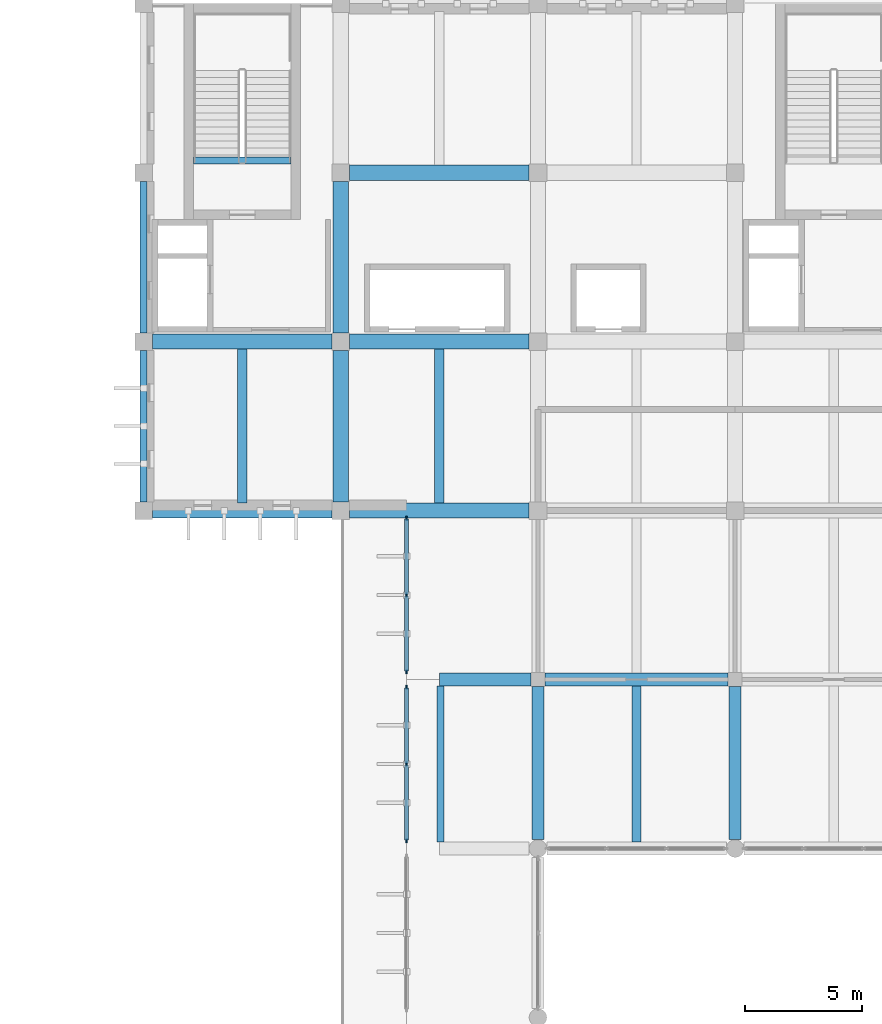
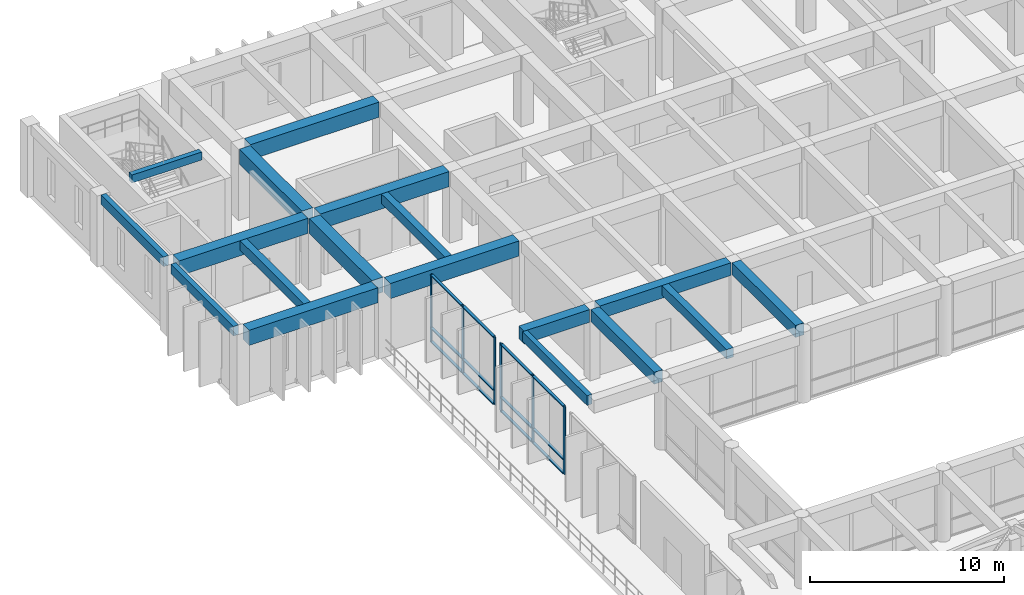
# One storey, part 10 of 23: 18 beams, 18 members, 2 elements without a shape of their own.
"""IFC4 building model written with IfcOpenShell, lengths in metres."""

from ifc_helpers import new_model, si_unit, direction, frame, origin, origin_2d, place, context, subcontext, project, spatial, rectangle, extrude, material, material_profile, profile_set, type_object, element, aggregate, save


model = new_model("IFC4")

# Units and contexts
model_context = context("Model", 3, precision=1e-05, world=origin(), true_north=direction((0.0, 1.0)))
body_context = subcontext(model_context, "Body", "Model", "MODEL_VIEW")
ifc_project = project(units=[si_unit("LENGTHUNIT", "METRE"), si_unit("AREAUNIT", "SQUARE_METRE"), si_unit("VOLUMEUNIT", "CUBIC_METRE"), si_unit("PLANEANGLEUNIT", "RADIAN"), si_unit("MASSUNIT", "GRAM", prefix="KILO")], contexts=[model_context])

# Site, building, storey
site_placement = place(None, origin())
site = spatial("IfcSite", under=ifc_project, at=site_placement, CompositionType="ELEMENT")
building_placement = place(site_placement, origin())
building = spatial("IfcBuilding", under=site, at=building_placement, Name="Kenerak Square Central Library", CompositionType="ELEMENT")
storey_placement = place(building_placement, frame((0.0, 0.0, 18.8798828125)))
storey = spatial("IfcBuildingStorey", under=building, at=storey_placement, Name="L04", CompositionType="ELEMENT", Elevation=18.8798828125)

# Beams
ifc_material_1 = material(Name="Concrete C45/55", Category="concrete")
ifc_material_profile_1 = material_profile(ifc_material_1, rectangle(XDim=0.64990234375, YDim=0.949951171875, at=origin_2d()), Name="RC 650x950")
ifc_profile_set_1 = profile_set([ifc_material_profile_1], Name="Concrete C45/55")
beam_type_1 = type_object("IfcBeamType", Name="Book Stack Girder B-02 RC 650x950 C45/55", PredefinedType="BEAM", material=ifc_profile_set_1)
beam_1_placement = place(storey_placement, frame((58.77490234375, 88.800048828125, 4.005126953125), z_axis=(1.0, 0.0, 0.0), x_axis=(0.0, 1.0, 0.0)))
element("IfcBeam", 1, at=beam_1_placement, inside=storey, type_object=beam_type_1, Name="Beam B-02 L04 1552", PredefinedType="BEAM", context=body_context, shape_type="SweptSolid", body=[
    extrude(rectangle(XDim=0.64990234375, YDim=0.949951171875, at=origin_2d()), origin(), (0.0, 0.0, 1.0), 7.650146484375),
])
beam_2_placement = place(storey_placement, frame((67.175048828125, 88.800048828125, 4.005126953125), z_axis=(1.0, 0.0, 0.0), x_axis=(0.0, 1.0, 0.0)))
element("IfcBeam", 2, at=beam_2_placement, inside=storey, type_object=beam_type_1, Name="Beam B-02 L04 1553", PredefinedType="BEAM", context=body_context, shape_type="SweptSolid", body=[
    extrude(rectangle(XDim=0.64990234375, YDim=0.949951171875, at=origin_2d()), origin(), (0.0, 0.0, 1.0), 7.64990234375),
])
beam_3_placement = place(storey_placement, frame((58.77490234375, 96.0, 4.005126953125), z_axis=(1.0, 0.0, 0.0), x_axis=(0.0, 1.0, 0.0)))
element("IfcBeam", 3, at=beam_3_placement, inside=storey, type_object=beam_type_1, Name="Beam B-02 L04 1559", PredefinedType="BEAM", context=body_context, shape_type="SweptSolid", body=[
    extrude(rectangle(XDim=0.64990234375, YDim=0.949951171875, at=origin_2d()), origin(), (0.0, 0.0, 1.0), 7.650146484375),
])
for number, where, z_axis, x_axis, name in (
    (4, (67.175048828125, 96.0, 4.005126953125), (1.0, 0.0, 0.0), (0.0, 1.0, 0.0), "Beam B-02 L04 1560"),
    (5, (67.175048828125, 103.199951171875, 4.005126953125), (1.0, 0.0, 0.0), (0.0, 1.0, 0.0), "Beam B-02 L04 1566"),
):
    element("IfcBeam", number, at=place(storey_placement, frame(where, z_axis=z_axis, x_axis=x_axis)), inside=storey, type_object=beam_type_1, Name=name, PredefinedType="BEAM", context=body_context, shape_type="SweptSolid", body=[
        extrude(rectangle(XDim=0.64990234375, YDim=0.949951171875, at=origin_2d()), origin(), (0.0, 0.0, 1.0), 7.64990234375),
    ])
for number, where, z_axis, x_axis, name in (
    (6, (66.800048828125, 89.175048828125, 4.005126953125), (0.0, 1.0, 0.0), (-1.0, 0.0, 0.0), "Beam B-02 L04 1577"),
    (7, (66.800048828125, 96.375, 4.005126953125), (0.0, 1.0, 0.0), (-1.0, 0.0, 0.0), "Beam B-02 L04 1578"),
):
    element("IfcBeam", number, at=place(storey_placement, frame(where, z_axis=z_axis, x_axis=x_axis)), inside=storey, type_object=beam_type_1, Name=name, PredefinedType="BEAM", context=body_context, shape_type="SweptSolid", body=[
        extrude(rectangle(XDim=0.64990234375, YDim=0.949951171875, at=origin_2d()), origin(), (0.0, 0.0, 1.0), 6.449951171875),
    ])
ifc_material_2 = material(Name="Concrete C40/50", Category="concrete")
ifc_material_profile_2 = material_profile(ifc_material_2, rectangle(XDim=0.300048828125, YDim=0.60009765625, at=origin_2d()), Name="RC 300x600")
ifc_profile_set_2 = profile_set([ifc_material_profile_2], Name="Concrete C40/50")
beam_type_2 = type_object("IfcBeamType", Name="Courtyard Spandrel Beam SP-02 RC 300x600 C40/50", PredefinedType="SPANDREL", material=ifc_profile_set_2)
for number, where, z_axis, x_axis, name in (
    (8, (58.39990234375, 89.175048828125, 4.18017578125), (0.0, 1.0, 0.0), (-1.0, 0.0, 0.0), "Beam SP-02 L04 1574"),
    (9, (58.39990234375, 96.375, 4.18017578125), (0.0, 1.0, 0.0), (-1.0, 0.0, 0.0), "Beam SP-02 L04 1575"),
):
    element("IfcBeam", number, at=place(storey_placement, frame(where, z_axis=z_axis, x_axis=x_axis)), inside=storey, type_object=beam_type_2, Name=name, PredefinedType="SPANDREL", context=body_context, shape_type="SweptSolid", body=[
        extrude(rectangle(XDim=0.300048828125, YDim=0.60009765625, at=origin_2d()), origin(), (0.0, 0.0, 1.0), 6.449951171875),
    ])
beam_4_placement = place(storey_placement, frame((71.050048828125, 74.675048828125, 4.18017578125), z_axis=(0.0, 1.0, 0.0), x_axis=(-1.0, 0.0, 0.0)))
element("IfcBeam", 10, at=beam_4_placement, inside=storey, type_object=beam_type_2, Name="Terrace Edge Spandrel SP-02 L04 SBW-74", PredefinedType="SPANDREL", context=body_context, shape_type="SweptSolid", body=[
    extrude(rectangle(XDim=0.300048828125, YDim=0.60009765625, at=origin_2d()), origin(), (0.0, 0.0, 1.0), 6.64990234375),
])

# Curtain wall, members
ifc_material_3 = material(Name="Anodised aluminium and solar-control low-E glazing", Category="aluminium")
curtain_wall_type = type_object("IfcCurtainWallType", Name="Curtain Wall CW-V4-66x42 6600x4255", PredefinedType="USERDEFINED", material=ifc_material_3)
curtain_wall_1_placement = place(storey_placement, origin())
curtain_wall_1 = element("IfcCurtainWall", 11, at=curtain_wall_1_placement, inside=storey, type_object=curtain_wall_type, Name="Curtain Wall CW-V4-66x42 L04 0145", ObjectType="CURTAIN WALL", PredefinedType="USERDEFINED")
ifc_material_4 = material(Name="Anodised aluminium 6063-T6", Category="aluminium")
ifc_material_profile_3 = material_profile(ifc_material_4, rectangle(XDim=0.06494140625, YDim=0.179931640625, at=origin_2d()), Name="AL MULLION 65x180")
ifc_profile_set_3 = profile_set([ifc_material_profile_3], Name="Anodised aluminium 6063-T6")
member_type_1 = type_object("IfcMemberType", Name="Curtain Mullion CM-01 65x180", PredefinedType="MULLION", material=ifc_profile_set_3)
member_1_placement = place(storey_placement, frame((69.60009765625, 74.732421875, 0.0), z_axis=(0.0, 0.0, 1.0), x_axis=(-1.0, 0.0, 0.0)))
member_1 = element("IfcMember", 12, at=member_1_placement, type_object=member_type_1, Name="CW-V4-66x42 Mullion 1", PredefinedType="MULLION", context=body_context, shape_type="SweptSolid", body=[
    extrude(rectangle(XDim=0.06494140625, YDim=0.179931640625, at=origin_2d()), origin(), (0.0, 0.0, 1.0), 4.255126953125),
])
member_2_placement = place(storey_placement, frame((69.60009765625, 78.0, 0.0), z_axis=(0.0, 0.0, 1.0), x_axis=(-1.0, 0.0, 0.0)))
member_2 = element("IfcMember", 13, at=member_2_placement, type_object=member_type_1, Name="CW-V4-66x42 Mullion 2", PredefinedType="MULLION", context=body_context, shape_type="SweptSolid", body=[
    extrude(rectangle(XDim=0.06494140625, YDim=0.179931640625, at=origin_2d()), origin(), (0.0, 0.0, 1.0), 4.255126953125),
])
member_3_placement = place(storey_placement, frame((69.60009765625, 81.267578125, 0.0), z_axis=(0.0, 0.0, 1.0), x_axis=(-1.0, 0.0, 0.0)))
member_3 = element("IfcMember", 14, at=member_3_placement, type_object=member_type_1, Name="CW-V4-66x42 Mullion 3", PredefinedType="MULLION", context=body_context, shape_type="SweptSolid", body=[
    extrude(rectangle(XDim=0.06494140625, YDim=0.179931640625, at=origin_2d()), origin(), (0.0, 0.0, 1.0), 4.255126953125),
])

curtain_wall_2_placement = place(storey_placement, origin())
curtain_wall_2 = element("IfcCurtainWall", 15, at=curtain_wall_2_placement, inside=storey, type_object=curtain_wall_type, Name="Curtain Wall CW-V4-66x42 L04 0146", ObjectType="CURTAIN WALL", PredefinedType="USERDEFINED")
member_4_placement = place(storey_placement, frame((69.60009765625, 81.9326171875, 0.0), z_axis=(0.0, 0.0, 1.0), x_axis=(-1.0, 0.0, 0.0)))
member_4 = element("IfcMember", 16, at=member_4_placement, type_object=member_type_1, Name="CW-V4-66x42 Mullion 1", PredefinedType="MULLION", context=body_context, shape_type="SweptSolid", body=[
    extrude(rectangle(XDim=0.06494140625, YDim=0.179931640625, at=origin_2d()), origin(), (0.0, 0.0, 1.0), 4.255126953125),
])
member_5_placement = place(storey_placement, frame((69.60009765625, 85.199951171875, 0.0), z_axis=(0.0, 0.0, 1.0), x_axis=(-1.0, 0.0, 0.0)))
member_5 = element("IfcMember", 17, at=member_5_placement, type_object=member_type_1, Name="CW-V4-66x42 Mullion 2", PredefinedType="MULLION", context=body_context, shape_type="SweptSolid", body=[
    extrude(rectangle(XDim=0.06494140625, YDim=0.179931640625, at=origin_2d()), origin(), (0.0, 0.0, 1.0), 4.255126953125),
])
member_6_placement = place(storey_placement, frame((69.60009765625, 88.467529296875, 0.0), z_axis=(0.0, 0.0, 1.0), x_axis=(-1.0, 0.0, 0.0)))
member_6 = element("IfcMember", 18, at=member_6_placement, type_object=member_type_1, Name="CW-V4-66x42 Mullion 3", PredefinedType="MULLION", context=body_context, shape_type="SweptSolid", body=[
    extrude(rectangle(XDim=0.06494140625, YDim=0.179931640625, at=origin_2d()), origin(), (0.0, 0.0, 1.0), 4.255126953125),
])

# Member
ifc_material_profile_4 = material_profile(ifc_material_4, rectangle(XDim=0.159912109375, YDim=0.06494140625, at=origin_2d()), Name="AL TRANSOM 160x65")
ifc_profile_set_4 = profile_set([ifc_material_profile_4], Name="Anodised aluminium 6063-T6")
member_type_2 = type_object("IfcMemberType", Name="Curtain Transom CT-11 160x65", PredefinedType="USERDEFINED", material=ifc_profile_set_4)
member_7_placement = place(storey_placement, frame((69.60009765625, 74.764892578125, 0.03271484375), z_axis=(0.0, 1.0, 0.0), x_axis=(-1.0, 0.0, 0.0)))
member_7 = element("IfcMember", 19, at=member_7_placement, type_object=member_type_2, Name="CW-V4-66x42 Transom 1.1", ObjectType="TRANSOM", PredefinedType="USERDEFINED", context=body_context, shape_type="SweptSolid", body=[
    extrude(rectangle(XDim=0.159912109375, YDim=0.06494140625, at=origin_2d()), origin(), (0.0, 0.0, 1.0), 3.20263671875),
])

member_8_placement = place(storey_placement, frame((69.60009765625, 74.764892578125, 0.900146484375), z_axis=(0.0, 1.0, 0.0), x_axis=(-1.0, 0.0, 0.0)))
member_8 = element("IfcMember", 20, at=member_8_placement, type_object=member_type_2, Name="CW-V4-66x42 Transom 1.2", ObjectType="TRANSOM", PredefinedType="USERDEFINED", context=body_context, shape_type="SweptSolid", body=[
    extrude(rectangle(XDim=0.159912109375, YDim=0.06494140625, at=origin_2d()), origin(), (0.0, 0.0, 1.0), 3.20263671875),
])

member_9_placement = place(storey_placement, frame((69.60009765625, 74.764892578125, 4.22265625), z_axis=(0.0, 1.0, 0.0), x_axis=(-1.0, 0.0, 0.0)))
member_9 = element("IfcMember", 21, at=member_9_placement, type_object=member_type_2, Name="CW-V4-66x42 Transom 1.3", ObjectType="TRANSOM", PredefinedType="USERDEFINED", context=body_context, shape_type="SweptSolid", body=[
    extrude(rectangle(XDim=0.159912109375, YDim=0.06494140625, at=origin_2d()), origin(), (0.0, 0.0, 1.0), 3.20263671875),
])

member_10_placement = place(storey_placement, frame((69.60009765625, 78.032470703125, 0.03271484375), z_axis=(0.0, 1.0, 0.0), x_axis=(-1.0, 0.0, 0.0)))
member_10 = element("IfcMember", 22, at=member_10_placement, type_object=member_type_2, Name="CW-V4-66x42 Transom 2.1", ObjectType="TRANSOM", PredefinedType="USERDEFINED", context=body_context, shape_type="SweptSolid", body=[
    extrude(rectangle(XDim=0.159912109375, YDim=0.06494140625, at=origin_2d()), origin(), (0.0, 0.0, 1.0), 3.20263671875),
])

member_11_placement = place(storey_placement, frame((69.60009765625, 78.032470703125, 0.900146484375), z_axis=(0.0, 1.0, 0.0), x_axis=(-1.0, 0.0, 0.0)))
member_11 = element("IfcMember", 23, at=member_11_placement, type_object=member_type_2, Name="CW-V4-66x42 Transom 2.2", ObjectType="TRANSOM", PredefinedType="USERDEFINED", context=body_context, shape_type="SweptSolid", body=[
    extrude(rectangle(XDim=0.159912109375, YDim=0.06494140625, at=origin_2d()), origin(), (0.0, 0.0, 1.0), 3.20263671875),
])

member_12_placement = place(storey_placement, frame((69.60009765625, 78.032470703125, 4.22265625), z_axis=(0.0, 1.0, 0.0), x_axis=(-1.0, 0.0, 0.0)))
member_12 = element("IfcMember", 24, at=member_12_placement, type_object=member_type_2, Name="CW-V4-66x42 Transom 2.3", ObjectType="TRANSOM", PredefinedType="USERDEFINED", context=body_context, shape_type="SweptSolid", body=[
    extrude(rectangle(XDim=0.159912109375, YDim=0.06494140625, at=origin_2d()), origin(), (0.0, 0.0, 1.0), 3.20263671875),
])

aggregate(curtain_wall_1, [member_1, member_2, member_3, member_7, member_8, member_9, member_10, member_11, member_12])

member_13_placement = place(storey_placement, frame((69.60009765625, 81.965087890625, 0.03271484375), z_axis=(0.0, 1.0, 0.0), x_axis=(-1.0, 0.0, 0.0)))
member_13 = element("IfcMember", 25, at=member_13_placement, type_object=member_type_2, Name="CW-V4-66x42 Transom 1.1", ObjectType="TRANSOM", PredefinedType="USERDEFINED", context=body_context, shape_type="SweptSolid", body=[
    extrude(rectangle(XDim=0.159912109375, YDim=0.06494140625, at=origin_2d()), origin(), (0.0, 0.0, 1.0), 3.202392578125),
])

member_14_placement = place(storey_placement, frame((69.60009765625, 81.965087890625, 0.900146484375), z_axis=(0.0, 1.0, 0.0), x_axis=(-1.0, 0.0, 0.0)))
member_14 = element("IfcMember", 26, at=member_14_placement, type_object=member_type_2, Name="CW-V4-66x42 Transom 1.2", ObjectType="TRANSOM", PredefinedType="USERDEFINED", context=body_context, shape_type="SweptSolid", body=[
    extrude(rectangle(XDim=0.159912109375, YDim=0.06494140625, at=origin_2d()), origin(), (0.0, 0.0, 1.0), 3.202392578125),
])

member_15_placement = place(storey_placement, frame((69.60009765625, 81.965087890625, 4.22265625), z_axis=(0.0, 1.0, 0.0), x_axis=(-1.0, 0.0, 0.0)))
member_15 = element("IfcMember", 27, at=member_15_placement, type_object=member_type_2, Name="CW-V4-66x42 Transom 1.3", ObjectType="TRANSOM", PredefinedType="USERDEFINED", context=body_context, shape_type="SweptSolid", body=[
    extrude(rectangle(XDim=0.159912109375, YDim=0.06494140625, at=origin_2d()), origin(), (0.0, 0.0, 1.0), 3.202392578125),
])

member_16_placement = place(storey_placement, frame((69.60009765625, 85.232421875, 0.03271484375), z_axis=(0.0, 1.0, 0.0), x_axis=(-1.0, 0.0, 0.0)))
member_16 = element("IfcMember", 28, at=member_16_placement, type_object=member_type_2, Name="CW-V4-66x42 Transom 2.1", ObjectType="TRANSOM", PredefinedType="USERDEFINED", context=body_context, shape_type="SweptSolid", body=[
    extrude(rectangle(XDim=0.159912109375, YDim=0.06494140625, at=origin_2d()), origin(), (0.0, 0.0, 1.0), 3.20263671875),
])

member_17_placement = place(storey_placement, frame((69.60009765625, 85.232421875, 0.900146484375), z_axis=(0.0, 1.0, 0.0), x_axis=(-1.0, 0.0, 0.0)))
member_17 = element("IfcMember", 29, at=member_17_placement, type_object=member_type_2, Name="CW-V4-66x42 Transom 2.2", ObjectType="TRANSOM", PredefinedType="USERDEFINED", context=body_context, shape_type="SweptSolid", body=[
    extrude(rectangle(XDim=0.159912109375, YDim=0.06494140625, at=origin_2d()), origin(), (0.0, 0.0, 1.0), 3.20263671875),
])

member_18_placement = place(storey_placement, frame((69.60009765625, 85.232421875, 4.22265625), z_axis=(0.0, 1.0, 0.0), x_axis=(-1.0, 0.0, 0.0)))
member_18 = element("IfcMember", 30, at=member_18_placement, type_object=member_type_2, Name="CW-V4-66x42 Transom 2.3", ObjectType="TRANSOM", PredefinedType="USERDEFINED", context=body_context, shape_type="SweptSolid", body=[
    extrude(rectangle(XDim=0.159912109375, YDim=0.06494140625, at=origin_2d()), origin(), (0.0, 0.0, 1.0), 3.20263671875),
])

aggregate(curtain_wall_2, [member_4, member_5, member_6, member_13, member_14, member_15, member_16, member_17, member_18])

# Beams
ifc_material_profile_5 = material_profile(ifc_material_2, rectangle(XDim=0.300048828125, YDim=0.5, at=origin_2d()), Name="RC 300x500")
ifc_profile_set_5 = profile_set([ifc_material_profile_5], Name="Concrete C40/50")
beam_type_3 = type_object("IfcBeamType", Name="Landing Support Beam B-08 RC 300x500 C40/50", PredefinedType="BEAM", material=ifc_profile_set_5)
beam_5_placement = place(storey_placement, frame((60.52001953125, 103.7099609375, 4.230224609375), z_axis=(1.0, 0.0, 0.0), x_axis=(0.0, 1.0, 0.0)))
element("IfcBeam", 31, at=beam_5_placement, inside=storey, type_object=beam_type_3, Name="Stair Threshold Beam B-08 ST-01 L05", PredefinedType="BEAM", context=body_context, shape_type="SweptSolid", body=[
    extrude(rectangle(XDim=0.300048828125, YDim=0.5, at=origin_2d()), origin(), (0.0, 0.0, 1.0), 4.159912109375),
])
ifc_material_profile_6 = material_profile(ifc_material_2, rectangle(XDim=0.550048828125, YDim=0.800048828125, at=origin_2d()), Name="RC 550x800")
ifc_profile_set_6 = profile_set([ifc_material_profile_6], Name="Concrete C40/50")
beam_type_4 = type_object("IfcBeamType", Name="Primary Reading Beam B-04 RC 550x800 C40/50", PredefinedType="BEAM", material=ifc_profile_set_6)
beam_6_placement = place(storey_placement, frame((75.5, 81.60009765625, 4.080078125), z_axis=(1.0, 0.0, 0.0), x_axis=(0.0, 1.0, 0.0)))
element("IfcBeam", 32, at=beam_6_placement, inside=storey, type_object=beam_type_4, Name="Beam B-04 L04 1548", PredefinedType="BEAM", context=body_context, shape_type="SweptSolid", body=[
    extrude(rectangle(XDim=0.550048828125, YDim=0.800048828125, at=origin_2d()), origin(), (0.0, 0.0, 1.0), 7.800048828125),
])
beam_7_placement = place(storey_placement, frame((71.0, 81.60009765625, 4.080078125), z_axis=(1.0, 0.0, 0.0), x_axis=(0.0, 1.0, 0.0)))
element("IfcBeam", 33, at=beam_7_placement, inside=storey, type_object=beam_type_4, Name="Terrace Cantilever Bracket B-04 L04 SBW-M", PredefinedType="BEAM", context=body_context, shape_type="SweptSolid", body=[
    extrude(rectangle(XDim=0.550048828125, YDim=0.800048828125, at=origin_2d()), origin(), (0.0, 0.0, 1.0), 3.89990234375),
])
ifc_material_profile_7 = material_profile(ifc_material_2, rectangle(XDim=0.39990234375, YDim=0.60009765625, at=origin_2d()), Name="RC 400x600")
ifc_profile_set_7 = profile_set([ifc_material_profile_7], Name="Concrete C40/50")
beam_type_5 = type_object("IfcBeamType", Name="Secondary Floor Joist J-01 RC 400x600 C40/50", PredefinedType="JOIST", material=ifc_profile_set_7)
for number, where, z_axis, x_axis, name in (
    (34, (62.60009765625, 89.125, 4.18017578125), (0.0, 1.0, 0.0), (-1.0, 0.0, 0.0), "Joist J-01 L04 1619"),
    (35, (71.0, 89.125, 4.18017578125), (0.0, 1.0, 0.0), (-1.0, 0.0, 0.0), "Joist J-01 L04 1620"),
):
    element("IfcBeam", number, at=place(storey_placement, frame(where, z_axis=z_axis, x_axis=x_axis)), inside=storey, type_object=beam_type_5, Name=name, PredefinedType="JOIST", context=body_context, shape_type="SweptSolid", body=[
        extrude(rectangle(XDim=0.39990234375, YDim=0.60009765625, at=origin_2d()), origin(), (0.0, 0.0, 1.0), 6.550048828125),
    ])
beam_8_placement = place(storey_placement, frame((79.39990234375, 74.675048828125, 4.18017578125), z_axis=(0.0, 1.0, 0.0), x_axis=(-1.0, 0.0, 0.0)))
element("IfcBeam", 36, at=beam_8_placement, inside=storey, type_object=beam_type_5, Name="Joist J-01 L04 1623", PredefinedType="JOIST", context=body_context, shape_type="SweptSolid", body=[
    extrude(rectangle(XDim=0.39990234375, YDim=0.60009765625, at=origin_2d()), origin(), (0.0, 0.0, 1.0), 6.64990234375),
])
ifc_material_profile_8 = material_profile(ifc_material_2, rectangle(XDim=0.5, YDim=0.75, at=origin_2d()), Name="RC 500x750")
ifc_profile_set_8 = profile_set([ifc_material_profile_8], Name="Concrete C40/50")
beam_type_6 = type_object("IfcBeamType", Name="Transverse Frame Beam B-05 RC 500x750 C40/50", PredefinedType="BEAM", material=ifc_profile_set_8)
for number, where, z_axis, x_axis, name in (
    (37, (75.199951171875, 74.77490234375, 4.105224609375), (0.0, 1.0, 0.0), (-1.0, 0.0, 0.0), "Beam B-05 L04 1583"),
    (38, (83.60009765625, 74.77490234375, 4.105224609375), (0.0, 1.0, 0.0), (-1.0, 0.0, 0.0), "Beam B-05 L04 1589"),
):
    element("IfcBeam", number, at=place(storey_placement, frame(where, z_axis=z_axis, x_axis=x_axis)), inside=storey, type_object=beam_type_6, Name=name, PredefinedType="BEAM", context=body_context, shape_type="SweptSolid", body=[
        extrude(rectangle(XDim=0.5, YDim=0.75, at=origin_2d()), origin(), (0.0, 0.0, 1.0), 6.525146484375),
    ])

save(model, "model.ifc")
